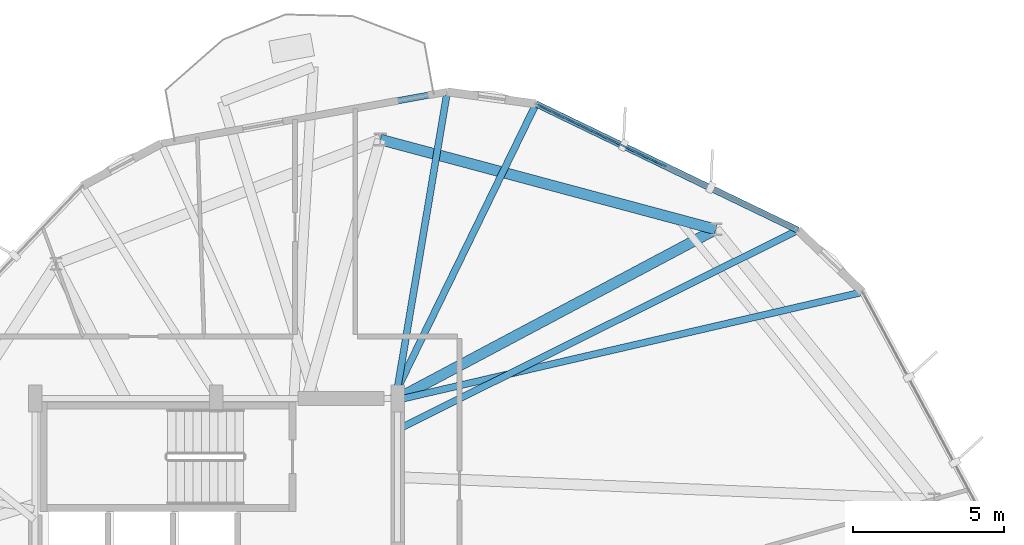
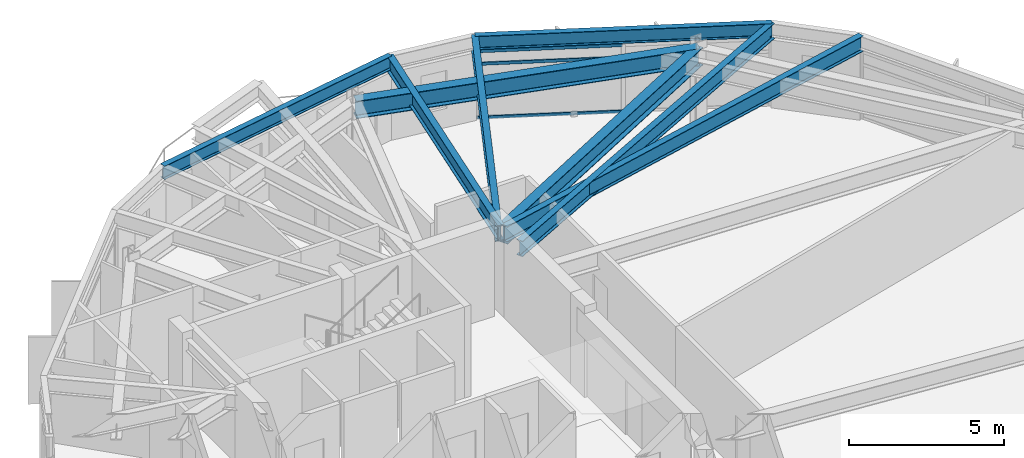
# One storey, part 18 of 27: 8 beams, 3 members, 1 element without a shape of its own.
"""IFC4 building model written with IfcOpenShell, lengths in metres."""

from ifc_helpers import new_model, si_unit, direction, frame, origin, origin_2d, place, context, subcontext, project, spatial, hollow_rectangle, i_section, extrude, material, layer, layer_set, material_profile, profile_set, type_object, element, aggregate, save


model = new_model("IFC4")

# Units and contexts
model_context = context("Model", 3, precision=1e-05, world=origin(), true_north=direction((0.0, 1.0)))
body_context = subcontext(model_context, "Body", "Model", "MODEL_VIEW")
ifc_project = project(units=[si_unit("LENGTHUNIT", "METRE"), si_unit("AREAUNIT", "SQUARE_METRE"), si_unit("VOLUMEUNIT", "CUBIC_METRE"), si_unit("PLANEANGLEUNIT", "RADIAN"), si_unit("MASSUNIT", "GRAM", prefix="KILO")], contexts=[model_context])

# Site, building, storey
site_placement = place(None, origin())
site = spatial("IfcSite", under=ifc_project, at=site_placement, CompositionType="ELEMENT")
building_placement = place(site_placement, origin())
building = spatial("IfcBuilding", under=site, at=building_placement, Name="Soratama Intermodal Tower", CompositionType="ELEMENT")
storey_placement = place(building_placement, frame((0.0, 0.0, 208.60009765625)))
storey = spatial("IfcBuildingStorey", under=building, at=storey_placement, Name="L52", CompositionType="ELEMENT", Elevation=208.60009765625)

# Beams
ifc_material_1 = material(Name="Structural steel ASTM A992 Grade 50", Category="steel")
ifc_material_profile_1 = material_profile(ifc_material_1, i_section(OverallWidth=0.35498046875, OverallDepth=0.695068359375, WebThickness=0.015380859375, FlangeThickness=0.02490234375, FilletRadius=0.01611328125, at=origin_2d()), Name="W27X146")
ifc_profile_set_1 = profile_set([ifc_material_profile_1], Name="Structural steel ASTM A992 Grade 50")
beam_type_1 = type_object("IfcBeamType", Name="BM-RING-W27X146", PredefinedType="BEAM", material=ifc_profile_set_1)
beam_1_placement = place(storey_placement, frame((55.1298828125, 40.59912109375, 2.952392578125), z_axis=(-0.965907374298, 0.258887899055, 0.0), x_axis=(-0.258887899055, -0.965907374298, 0.0)))
element("IfcBeam", 1, at=beam_1_placement, inside=storey, type_object=beam_type_1, Name="BM-L52-RING-02", PredefinedType="BEAM", context=body_context, shape_type="SweptSolid", body=[
    extrude(i_section(OverallWidth=0.35498046875, OverallDepth=0.695068359375, WebThickness=0.015380859375, FlangeThickness=0.02490234375, FilletRadius=0.01611328125, at=origin_2d()), origin(), (0.0, 0.0, 1.0), 11.49462890625),
])
beam_2_placement = place(storey_placement, frame((44.60009765625, 35.0, 2.952392578125), z_axis=(0.882935948236, 0.469493462482, 0.0), x_axis=(-0.469493462482, 0.882935948236, 0.0)))
element("IfcBeam", 2, at=beam_2_placement, inside=storey, type_object=beam_type_1, Name="BM-L52-RAD-02", PredefinedType="BEAM", context=body_context, shape_type="SweptSolid", body=[
    extrude(i_section(OverallWidth=0.35498046875, OverallDepth=0.695068359375, WebThickness=0.015380859375, FlangeThickness=0.02490234375, FilletRadius=0.01611328125, at=origin_2d()), origin(), (0.0, 0.0, 1.0), 11.92578125),
])
ifc_material_2 = material(Name="Structural steel ASTM A992 Grade 50", Category="steel")
ifc_material_profile_2 = material_profile(ifc_material_2, i_section(OverallWidth=0.2099609375, OverallDepth=0.537109375, WebThickness=0.010986328125, FlangeThickness=0.017333984375, FilletRadius=0.012939453125, at=origin_2d()), Name="W21X68")
ifc_profile_set_2 = profile_set([ifc_material_profile_2], Name="Structural steel ASTM A992 Grade 50")
beam_type_2 = type_object("IfcBeamType", Name="BM-SPN-W21X68", PredefinedType="SPANDREL", material=ifc_profile_set_2)
beam_3_placement = place(storey_placement, frame((57.85107421875, 40.573974609375, 3.031494140625), z_axis=(-0.900762833383, 0.434311314606, 0.0), x_axis=(-0.434311314606, -0.900762833383, 0.0)))
element("IfcBeam", 3, at=beam_3_placement, inside=storey, type_object=beam_type_2, Name="BS-L52-F01", PredefinedType="SPANDREL", context=body_context, shape_type="SweptSolid", body=[
    extrude(i_section(OverallWidth=0.2099609375, OverallDepth=0.537109375, WebThickness=0.010986328125, FlangeThickness=0.017333984375, FilletRadius=0.012939453125, at=origin_2d()), origin(), (0.0, 0.0, 1.0), 9.624267578125),
])
beam_4_placement = place(storey_placement, frame((46.241943359375, 45.154052734375, 3.031494140625), z_axis=(-0.983992660813, -0.178208988172, 0.0), x_axis=(0.178208988172, -0.983992660813, 0.0)))
element("IfcBeam", 4, at=beam_4_placement, inside=storey, type_object=beam_type_2, Name="BS-L52-F02", PredefinedType="SPANDREL", context=body_context, shape_type="SweptSolid", body=[
    extrude(i_section(OverallWidth=0.2099609375, OverallDepth=0.537109375, WebThickness=0.010986328125, FlangeThickness=0.017333984375, FilletRadius=0.012939453125, at=origin_2d()), origin(), (0.0, 0.0, 1.0), 9.6240234375),
])
ifc_material_3 = material(Name="Structural steel ASTM A992 Grade 50", Category="steel")
ifc_material_profile_3 = material_profile(ifc_material_3, i_section(OverallWidth=0.22900390625, OverallDepth=0.612060546875, WebThickness=0.011962890625, FlangeThickness=0.01953125, FilletRadius=0.012939453125, at=origin_2d()), Name="W24X84")
ifc_profile_set_3 = profile_set([ifc_material_profile_3], Name="Structural steel ASTM A992 Grade 50")
beam_type_3 = type_object("IfcBeamType", Name="BM-TIE-W24X84", PredefinedType="BEAM", material=ifc_profile_set_3)
beam_5_placement = place(storey_placement, frame((44.635986328125, 33.992919921875, 2.993896484375), z_axis=(0.895143754973, 0.445777587967, 0.0), x_axis=(-0.445777587967, 0.895143754973, 0.0)))
element("IfcBeam", 5, at=beam_5_placement, inside=storey, type_object=beam_type_3, Name="BM-L52-TIE0-01", PredefinedType="BEAM", context=body_context, shape_type="SweptSolid", body=[
    extrude(i_section(OverallWidth=0.22900390625, OverallDepth=0.612060546875, WebThickness=0.011962890625, FlangeThickness=0.01953125, FilletRadius=0.012939453125, at=origin_2d()), origin(), (0.0, 0.0, 1.0), 14.76318359375),
])
beam_6_placement = place(storey_placement, frame((44.451904296875, 35.035888671875, 2.993896484375), z_axis=(0.43763750932, 0.899151494708, 0.0), x_axis=(-0.899151494708, 0.43763750932, 0.0)))
element("IfcBeam", 6, at=beam_6_placement, inside=storey, type_object=beam_type_3, Name="BM-L52-TIE1-01", PredefinedType="BEAM", context=body_context, shape_type="SweptSolid", body=[
    extrude(i_section(OverallWidth=0.22900390625, OverallDepth=0.612060546875, WebThickness=0.011962890625, FlangeThickness=0.01953125, FilletRadius=0.012939453125, at=origin_2d()), origin(), (0.0, 0.0, 1.0), 10.80810546875),
])
beam_7_placement = place(storey_placement, frame((44.544921875, 35.0390625, 2.993896484375), z_axis=(0.165460414204, 0.986216432296, 0.0), x_axis=(-0.986216432296, 0.165460414204, 0.0)))
element("IfcBeam", 7, at=beam_7_placement, inside=storey, type_object=beam_type_3, Name="BM-L52-TIE0-02", PredefinedType="BEAM", context=body_context, shape_type="SweptSolid", body=[
    extrude(i_section(OverallWidth=0.22900390625, OverallDepth=0.612060546875, WebThickness=0.011962890625, FlangeThickness=0.01953125, FilletRadius=0.012939453125, at=origin_2d()), origin(), (0.0, 0.0, 1.0), 10.25634765625),
])
beam_8_placement = place(storey_placement, frame((44.638916015625, 34.965087890625, 2.993896484375), z_axis=(0.974190578374, 0.225727085233, 0.0), x_axis=(-0.225727085233, 0.974190578374, 0.0)))
element("IfcBeam", 8, at=beam_8_placement, inside=storey, type_object=beam_type_3, Name="BM-L52-TIE1-10", PredefinedType="BEAM", context=body_context, shape_type="SweptSolid", body=[
    extrude(i_section(OverallWidth=0.22900390625, OverallDepth=0.612060546875, WebThickness=0.011962890625, FlangeThickness=0.01953125, FilletRadius=0.012939453125, at=origin_2d()), origin(), (0.0, 0.0, 1.0), 15.76171875),
])

# Curtain wall, members
ifc_material_4 = material(Name="Double-glazed aluminium curtain wall", Category="aluminium")
ifc_layer = layer(ifc_material_4, 0.159912109375)
ifc_layer_set = layer_set([ifc_layer], Name="Double-glazed aluminium curtain wall")
curtain_wall_type = type_object("IfcCurtainWallType", Name="CW-SYS-5", PredefinedType="NOTDEFINED", material=ifc_layer_set)
curtain_wall_placement = place(storey_placement, origin())
curtain_wall = element("IfcCurtainWall", 9, at=curtain_wall_placement, inside=storey, type_object=curtain_wall_type, Name="L52 Faceted Curtain Wall F01", PredefinedType="NOTDEFINED")
ifc_material_5 = material(Name="Anodised aluminium AA 6063-T6", Category="aluminium")
ifc_material_profile_4 = material_profile(ifc_material_5, hollow_rectangle(XDim=0.06005859375, YDim=0.1298828125, WallThickness=0.0048828125, InnerFilletRadius=0.0048828125, OuterFilletRadius=0.010009765625, at=origin_2d()), Name="CWT130X60X5")
ifc_profile_set_4 = profile_set([ifc_material_profile_4], Name="Anodised aluminium AA 6063-T6")
member_type = type_object("IfcMemberType", Name="TT-CWT-2", PredefinedType="USERDEFINED", material=ifc_profile_set_4)
member_1_placement = place(storey_placement, frame((53.4892578125, 42.67724609375, 0.02978515625), z_axis=(-0.900786740195, 0.434261728326, 0.0), x_axis=(-0.434261728326, -0.900786740195, 0.0)))
member_1 = element("IfcMember", 10, at=member_1_placement, type_object=member_type, Name="CW-5 transom 2.1", ObjectType="TRANSOM", PredefinedType="USERDEFINED", context=body_context, shape_type="SweptSolid", body=[
    extrude(hollow_rectangle(XDim=0.06005859375, YDim=0.1298828125, WallThickness=0.0048828125, InnerFilletRadius=0.0048828125, OuterFilletRadius=0.010009765625, at=origin_2d()), origin(), (0.0, 0.0, 1.0), 4.721923828125),
])
member_2_placement = place(storey_placement, frame((53.4892578125, 42.67724609375, 2.14990234375), z_axis=(-0.900786740195, 0.434261728326, 0.0), x_axis=(-0.434261728326, -0.900786740195, 0.0)))
member_2 = element("IfcMember", 11, at=member_2_placement, type_object=member_type, Name="CW-5 transom 2.2", ObjectType="TRANSOM", PredefinedType="USERDEFINED", context=body_context, shape_type="SweptSolid", body=[
    extrude(hollow_rectangle(XDim=0.06005859375, YDim=0.1298828125, WallThickness=0.0048828125, InnerFilletRadius=0.0048828125, OuterFilletRadius=0.010009765625, at=origin_2d()), origin(), (0.0, 0.0, 1.0), 4.721923828125),
])
member_3_placement = place(storey_placement, frame((53.4892578125, 42.67724609375, 2.64892578125), z_axis=(-0.900786740195, 0.434261728326, 0.0), x_axis=(-0.434261728326, -0.900786740195, 0.0)))
member_3 = element("IfcMember", 12, at=member_3_placement, type_object=member_type, Name="CW-5 transom 2.3", ObjectType="TRANSOM", PredefinedType="USERDEFINED", context=body_context, shape_type="SweptSolid", body=[
    extrude(hollow_rectangle(XDim=0.06005859375, YDim=0.1298828125, WallThickness=0.0048828125, InnerFilletRadius=0.0048828125, OuterFilletRadius=0.010009765625, at=origin_2d()), origin(), (0.0, 0.0, 1.0), 4.721923828125),
])
aggregate(curtain_wall, [member_1, member_2, member_3])

save(model, "model.ifc")
